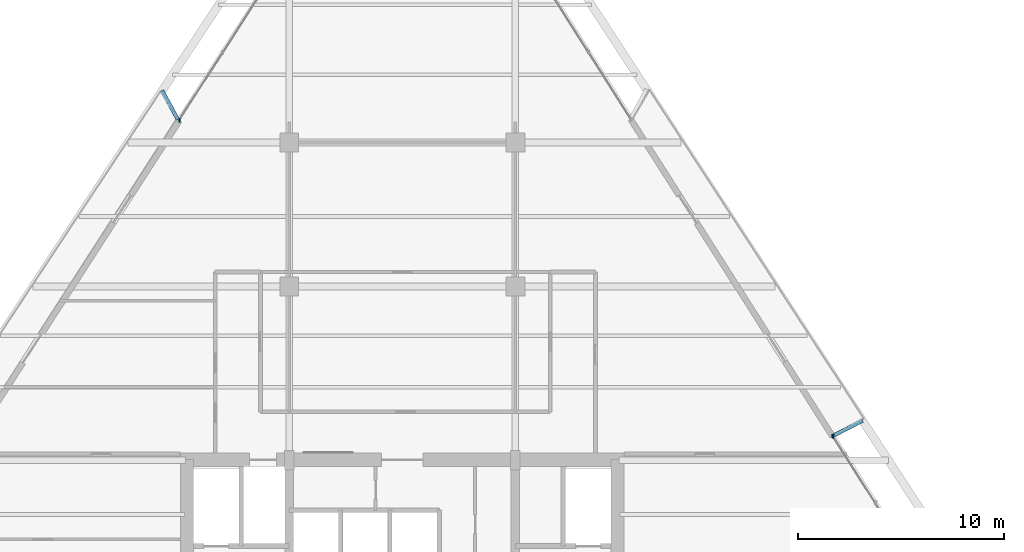
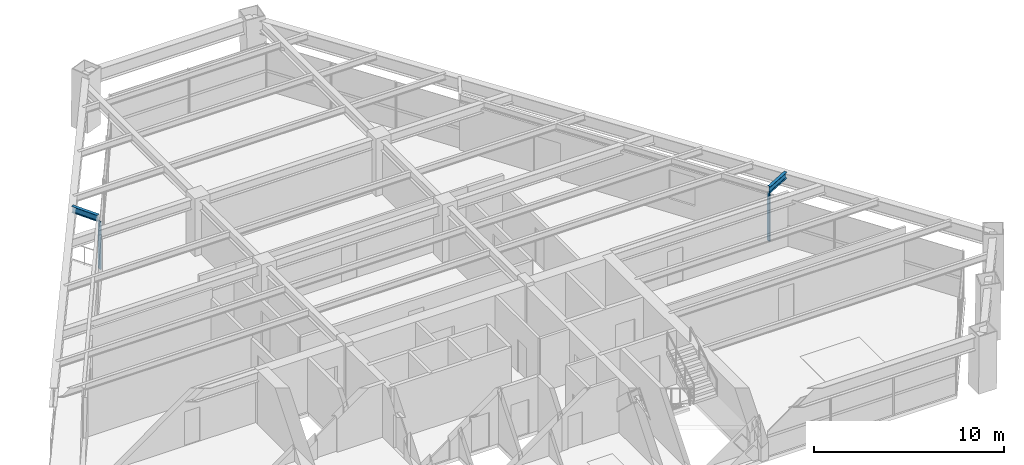
# One storey, part 8 of 15: 4 members, 2 beams, 2 elements without a shape of their own.
"""IFC4 building model written with IfcOpenShell, lengths in metres."""

from ifc_helpers import new_model, si_unit, direction, frame, origin, origin_2d, place, context, subcontext, project, spatial, rectangle, i_section, extrude, source, transform, mapped, material, material_profile, profile_set, type_object, element, aggregate, save


model = new_model("IFC4")

# Units and contexts
model_context = context("Model", 3, precision=1e-05, world=origin(), true_north=direction((0.0, 1.0)))
body_context = subcontext(model_context, "Body", "Model", "MODEL_VIEW")
ifc_project = project(units=[si_unit("LENGTHUNIT", "METRE"), si_unit("AREAUNIT", "SQUARE_METRE"), si_unit("VOLUMEUNIT", "CUBIC_METRE"), si_unit("PLANEANGLEUNIT", "RADIAN"), si_unit("MASSUNIT", "GRAM", prefix="KILO")], contexts=[model_context])

# Site, building, storey
site_placement = place(None, origin())
site = spatial("IfcSite", under=ifc_project, at=site_placement, CompositionType="ELEMENT")
building_placement = place(site_placement, origin())
building = spatial("IfcBuilding", under=site, at=building_placement, Name="Varnakhor Terracotta Tower", CompositionType="ELEMENT")
storey_placement = place(building_placement, frame((0.0, 0.0, 147.800048828125)))
storey = spatial("IfcBuildingStorey", under=building, at=storey_placement, Name="L37", CompositionType="ELEMENT", Elevation=147.800048828125)

# Beam
ifc_material_1 = material(Name="Steel S355", Category="steel")
ifc_material_profile_1 = material_profile(ifc_material_1, i_section(OverallWidth=0.179931640625, OverallDepth=0.39990234375, WebThickness=0.008544921875, FlangeThickness=0.013427734375, FilletRadius=0.01806640625, at=origin_2d()), Name="IPE400")
ifc_profile_set_1 = profile_set([ifc_material_profile_1], Name="Steel S355")
beam_type = type_object("IfcBeamType", Name="JST-IPE400", PredefinedType="JOIST", material=ifc_profile_set_1)
shared_shape_1 = source(origin(), body_context, "Body", "SweptSolid", [
    extrude(i_section(OverallWidth=0.179931640625, OverallDepth=0.39990234375, WebThickness=0.008544921875, FlangeThickness=0.013427734375, FilletRadius=0.01806640625, at=origin_2d()), origin(), (0.0, 0.0, 1.0), 1.598876953125),
])
beam_1_placement = place(storey_placement, frame((-10.91845703125, 32.622802734375, 3.27001953125), z_axis=(-0.475928955386, 0.879483728914, 0.0), x_axis=(-0.879483728914, -0.475928955386, 0.0)))
element("IfcBeam", 1, at=beam_1_placement, inside=storey, type_object=beam_type, Name="L38 W Loggia Tie Beam 2", PredefinedType="JOIST", context=body_context, shape_type="MappedRepresentation", body=[
    mapped(shared_shape_1, transform((0.0, 0.0, 0.0), scale=1.0)),
])

# Curtain wall, members
ifc_material_2 = material(Name="Anodised Aluminium Curtain Wall System", Category="aluminium")
curtain_wall_type = type_object("IfcCurtainWallType", Name="CW-SYS-MID-OFFICE", PredefinedType="NOTDEFINED", material=ifc_material_2)
curtain_wall_1_placement = place(storey_placement, origin())
curtain_wall_1 = element("IfcCurtainWall", 2, at=curtain_wall_1_placement, inside=storey, type_object=curtain_wall_type, Name="L37 W Facet Curtain Wall 2", PredefinedType="NOTDEFINED")
ifc_material_3 = material(Name="Anodised Aluminium 6063-T6", Category="aluminium")
ifc_material_profile_2 = material_profile(ifc_material_3, rectangle(XDim=0.070068359375, YDim=0.175048828125, at=origin_2d()), Name="ALU MULLION 70x175")
ifc_profile_set_2 = profile_set([ifc_material_profile_2], Name="Anodised Aluminium 6063-T6")
member_type = type_object("IfcMemberType", Name="CWM-03", PredefinedType="MULLION", material=ifc_profile_set_2)
shared_shape_2 = source(origin(), body_context, "Body", "SweptSolid", [
    extrude(rectangle(XDim=0.070068359375, YDim=0.175048828125, at=origin_2d()), origin(), (0.0, 0.0, 1.0), 3.050048828125),
])
member_1_placement = place(storey_placement, frame((-10.846923828125, 32.603271484375, 0.0), z_axis=(0.0, 0.0, 1.0), x_axis=(1.0, 0.0, 0.0)))
member_1 = element("IfcMember", 3, at=member_1_placement, type_object=member_type, Name="L37 W Facet Curtain Wall 2 Mullion 1", PredefinedType="MULLION", context=body_context, shape_type="MappedRepresentation", body=[
    mapped(shared_shape_2, transform((0.0, 0.0, 0.0), scale=1.0)),
])
member_2_placement = place(storey_placement, frame((-10.846435546875, 32.567138671875, 0.0), z_axis=(0.0, 0.0, 1.0), x_axis=(1.0, 0.0, 0.0)))
member_2 = element("IfcMember", 4, at=member_2_placement, type_object=member_type, Name="L37 W Loggia Jamb Closure Mullion 2", PredefinedType="MULLION", context=body_context, shape_type="MappedRepresentation", body=[
    mapped(shared_shape_2, transform((0.0, 0.0, 0.0), scale=1.0)),
])
aggregate(curtain_wall_1, [member_1, member_2])

curtain_wall_2_placement = place(storey_placement, origin())
curtain_wall_2 = element("IfcCurtainWall", 5, at=curtain_wall_2_placement, inside=storey, type_object=curtain_wall_type, Name="L37 E Facet Curtain Wall 2", PredefinedType="NOTDEFINED")
member_3_placement = place(storey_placement, frame((20.955810546875, 17.208984375, 0.0), z_axis=(0.0, 0.0, 1.0), x_axis=(1.0, 0.0, 0.0)))
member_3 = element("IfcMember", 6, at=member_3_placement, type_object=member_type, Name="L37 E Facet Curtain Wall 2 Mullion 1", PredefinedType="MULLION", context=body_context, shape_type="MappedRepresentation", body=[
    mapped(shared_shape_2, transform((0.0, 0.0, 0.0), scale=1.0)),
])
member_4_placement = place(storey_placement, frame((20.922607421875, 17.2236328125, 0.0), z_axis=(0.0, 0.0, 1.0), x_axis=(1.0, 0.0, 0.0)))
member_4 = element("IfcMember", 7, at=member_4_placement, type_object=member_type, Name="L37 E Loggia Jamb Closure Mullion 2", PredefinedType="MULLION", context=body_context, shape_type="MappedRepresentation", body=[
    mapped(shared_shape_2, transform((0.0, 0.0, 0.0), scale=1.0)),
])
aggregate(curtain_wall_2, [member_3, member_4])

# Beam
shared_shape_3 = source(origin(), body_context, "Body", "SweptSolid", [
    extrude(i_section(OverallWidth=0.179931640625, OverallDepth=0.39990234375, WebThickness=0.008544921875, FlangeThickness=0.013427734375, FilletRadius=0.01806640625, at=origin_2d()), origin(), (0.0, 0.0, 1.0), 1.620361328125),
])
beam_2_placement = place(storey_placement, frame((20.956298828125, 17.225341796875, 3.27001953125), z_axis=(0.888783029223, 0.458328186963, 0.0), x_axis=(-0.458328186963, 0.888783029223, 0.0)))
element("IfcBeam", 8, at=beam_2_placement, inside=storey, type_object=beam_type, Name="L38 E Loggia Tie Beam 2", PredefinedType="JOIST", context=body_context, shape_type="MappedRepresentation", body=[
    mapped(shared_shape_3, transform((0.0, 0.0, 0.0), scale=1.0)),
])

save(model, "model.ifc")
